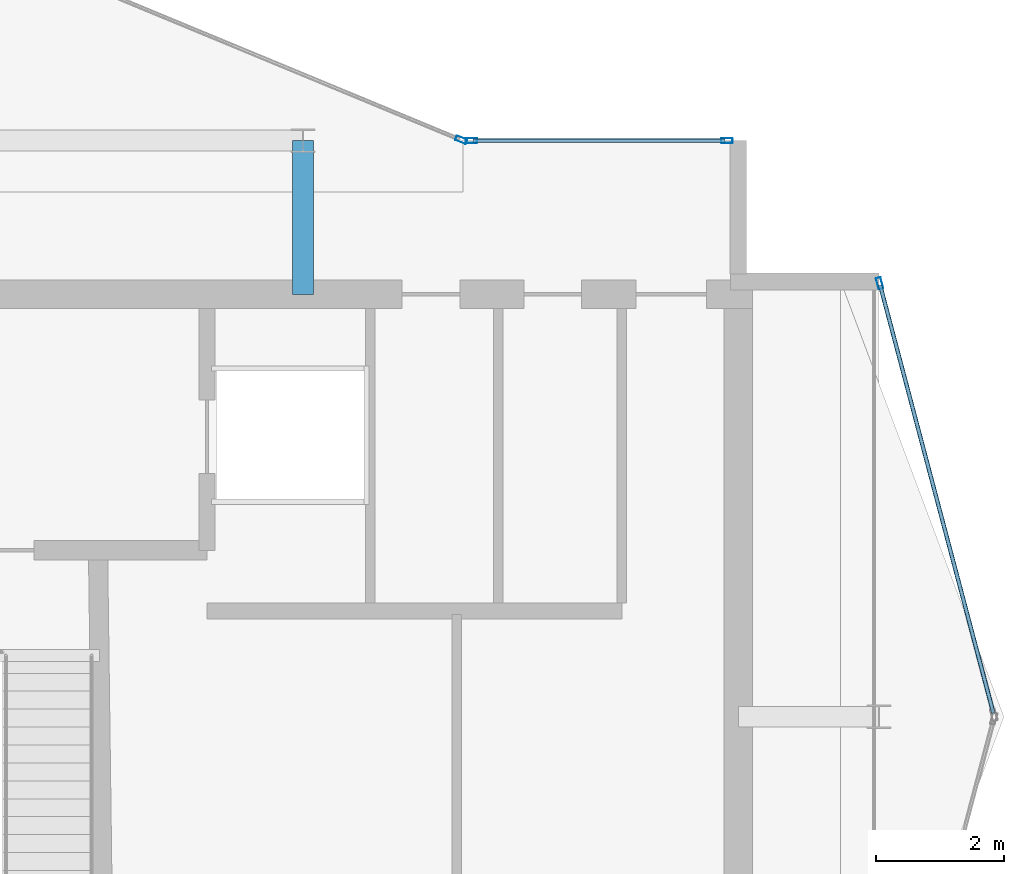
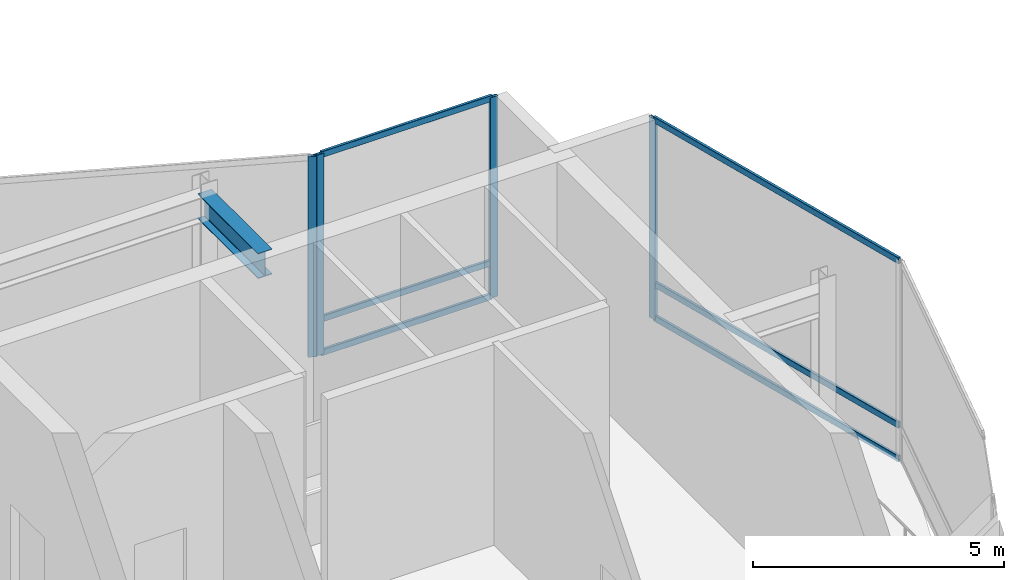
# One storey, part 12 of 21: 10 members, 1 beam, 3 elements without a shape of their own.
"""IFC4 building model written with IfcOpenShell, lengths in metres."""

from ifc_helpers import new_model, si_unit, direction, frame, origin, origin_2d, place, context, subcontext, project, spatial, hollow_rectangle, i_section, extrude, material, layer, layer_set, material_profile, profile_set, type_object, element, aggregate, save


model = new_model("IFC4")

# Units and contexts
model_context = context("Model", 3, precision=1e-05, world=origin(), true_north=direction((0.0, 1.0)))
body_context = subcontext(model_context, "Body", "Model", "MODEL_VIEW")
ifc_project = project(units=[si_unit("LENGTHUNIT", "METRE"), si_unit("AREAUNIT", "SQUARE_METRE"), si_unit("VOLUMEUNIT", "CUBIC_METRE"), si_unit("PLANEANGLEUNIT", "RADIAN"), si_unit("MASSUNIT", "GRAM", prefix="KILO")], contexts=[model_context])

# Site, building, storey
site_placement = place(None, origin())
site = spatial("IfcSite", under=ifc_project, at=site_placement, CompositionType="ELEMENT")
building_placement = place(site_placement, origin())
building = spatial("IfcBuilding", under=site, at=building_placement, Name="Solvaryn Broadcast Tower", CompositionType="ELEMENT")
storey_placement = place(building_placement, frame((0.0, 0.0, 297.39990234375)))
storey = spatial("IfcBuildingStorey", under=building, at=storey_placement, Name="L75", CompositionType="ELEMENT", Elevation=297.39990234375)

# Beam
ifc_material_1 = material(Name="Steel ASTM A992 Grade 50", Category="steel")
ifc_material_profile_1 = material_profile(ifc_material_1, i_section(OverallWidth=0.323974609375, OverallDepth=0.611083984375, WebThickness=0.0126953125, FlangeThickness=0.01904296875, FilletRadius=0.014892578125, at=origin_2d()))
ifc_profile_set_1 = profile_set([ifc_material_profile_1], Name="Steel ASTM A992 Grade 50")
beam_type = type_object("IfcBeamType", Name="BM-B1-W24X104", PredefinedType="BEAM", material=ifc_profile_set_1)
beam_placement = place(storey_placement, frame((36.0, 24.60009765625, 4.564697265625), z_axis=(0.0, 1.0, 0.0), x_axis=(-1.0, 0.0, 0.0)))
element("IfcBeam", 1, at=beam_placement, inside=storey, type_object=beam_type, Name="L75 Core Tie Beam CTE2", PredefinedType="BEAM", context=body_context, shape_type="SweptSolid", body=[
    extrude(i_section(OverallWidth=0.323974609375, OverallDepth=0.611083984375, WebThickness=0.0126953125, FlangeThickness=0.01904296875, FilletRadius=0.014892578125, at=origin_2d()), origin(), (0.0, 0.0, 1.0), 2.39990234375),
])

# Curtain wall, member
ifc_material_2 = material(Name="Aluminium and Terracotta Unitised Curtain Wall", Category="masonry")
ifc_layer = layer(ifc_material_2, 0.260009765625)
ifc_layer_set = layer_set([ifc_layer], Name="CW-SYS5-DAMPER")
curtain_wall_type = type_object("IfcCurtainWallType", Name="CW-SYS5-DAMPER", PredefinedType="NOTDEFINED", material=ifc_layer_set)
curtain_wall_1_placement = place(storey_placement, origin())
curtain_wall_1 = element("IfcCurtainWall", 2, at=curtain_wall_1_placement, inside=storey, type_object=curtain_wall_type, Name="L75 Curtain Wall CN1", PredefinedType="NOTDEFINED")
ifc_material_3 = material(Name="Anodised Aluminium 6063-T6", Category="aluminium")
ifc_material_profile_2 = material_profile(ifc_material_3, hollow_rectangle(XDim=0.074951171875, YDim=0.179931640625, WallThickness=0.00390625, InnerFilletRadius=0.00390625, OuterFilletRadius=0.008056640625, at=origin_2d()))
ifc_profile_set_2 = profile_set([ifc_material_profile_2], Name="Anodised Aluminium 6063-T6")
member_type_1 = type_object("IfcMemberType", Name="CW-MUL-180", PredefinedType="MULLION", material=ifc_profile_set_2)
member_1_placement = place(storey_placement, frame((38.47216796875, 27.011474609375, 0.0), z_axis=(0.0, 0.0, 1.0), x_axis=(-0.382646127145, -0.923894983957, 0.0)))
member_1 = element("IfcMember", 3, at=member_1_placement, type_object=member_type_1, Name="CWS5 mullion 1", PredefinedType="MULLION", context=body_context, shape_type="SweptSolid", body=[
    extrude(hollow_rectangle(XDim=0.074951171875, YDim=0.179931640625, WallThickness=0.00390625, InnerFilletRadius=0.00390625, OuterFilletRadius=0.008056640625, at=origin_2d()), origin(), (0.0, 0.0, 1.0), 4.8701171875),
])
aggregate(curtain_wall_1, [member_1])

curtain_wall_2_placement = place(storey_placement, origin())
curtain_wall_2 = element("IfcCurtainWall", 4, at=curtain_wall_2_placement, inside=storey, type_object=curtain_wall_type, Name="L75 Curtain Wall ET1", PredefinedType="NOTDEFINED")
member_2_placement = place(storey_placement, frame((45.007568359375, 24.77099609375, 0.0), z_axis=(0.0, 0.0, 1.0), x_axis=(0.966705227863, 0.25589256031, 0.0)))
member_2 = element("IfcMember", 5, at=member_2_placement, type_object=member_type_1, Name="CWS5 mullion 1", PredefinedType="MULLION", context=body_context, shape_type="SweptSolid", body=[
    extrude(hollow_rectangle(XDim=0.074951171875, YDim=0.179931640625, WallThickness=0.00390625, InnerFilletRadius=0.00390625, OuterFilletRadius=0.008056640625, at=origin_2d()), origin(), (0.0, 0.0, 1.0), 4.8701171875),
])

# Curtain wall, members
curtain_wall_3_placement = place(storey_placement, origin())
curtain_wall_3 = element("IfcCurtainWall", 6, at=curtain_wall_3_placement, inside=storey, type_object=curtain_wall_type, Name="L75 Curtain Wall IH", PredefinedType="NOTDEFINED")
member_3_placement = place(storey_placement, frame((38.6298828125, 27.0, 0.0), z_axis=(0.0, 0.0, 1.0), x_axis=(0.0, 1.0, 0.0)))
member_3 = element("IfcMember", 7, at=member_3_placement, type_object=member_type_1, Name="CWS5 mullion 1", PredefinedType="MULLION", context=body_context, shape_type="SweptSolid", body=[
    extrude(hollow_rectangle(XDim=0.074951171875, YDim=0.179931640625, WallThickness=0.00390625, InnerFilletRadius=0.00390625, OuterFilletRadius=0.008056640625, at=origin_2d()), origin(), (0.0, 0.0, 1.0), 4.8701171875),
])
member_4_placement = place(storey_placement, frame((42.6201171875, 27.0, 0.0), z_axis=(0.0, 0.0, 1.0), x_axis=(0.0, 1.0, 0.0)))
member_4 = element("IfcMember", 8, at=member_4_placement, type_object=member_type_1, Name="CWS5 mullion 2", PredefinedType="MULLION", context=body_context, shape_type="SweptSolid", body=[
    extrude(hollow_rectangle(XDim=0.074951171875, YDim=0.179931640625, WallThickness=0.00390625, InnerFilletRadius=0.00390625, OuterFilletRadius=0.008056640625, at=origin_2d()), origin(), (0.0, 0.0, 1.0), 4.8701171875),
])

# Member
ifc_material_4 = material(Name="Anodised Aluminium 6063-T6", Category="aluminium")
ifc_material_profile_3 = material_profile(ifc_material_4, hollow_rectangle(XDim=0.06494140625, YDim=0.14990234375, WallThickness=0.00390625, InnerFilletRadius=0.00390625, OuterFilletRadius=0.008056640625, at=origin_2d()))
ifc_profile_set_3 = profile_set([ifc_material_profile_3], Name="Anodised Aluminium 6063-T6")
member_type_2 = type_object("IfcMemberType", Name="CW-TRN-150", PredefinedType="USERDEFINED", material=ifc_profile_set_3)
member_5_placement = place(storey_placement, frame((45.015380859375, 24.741943359375, 0.030029296875), z_axis=(0.255897413051, -0.966703943301, 0.0), x_axis=(0.966703943301, 0.255897413051, 0.0)))
member_5 = element("IfcMember", 9, at=member_5_placement, type_object=member_type_2, Name="CWS5 transom 1.1", ObjectType="TRANSOM", PredefinedType="USERDEFINED", context=body_context, shape_type="SweptSolid", body=[
    extrude(hollow_rectangle(XDim=0.06494140625, YDim=0.14990234375, WallThickness=0.00390625, InnerFilletRadius=0.00390625, OuterFilletRadius=0.008056640625, at=origin_2d()), origin(), (0.0, 0.0, 1.0), 6.9140625),
])

member_6_placement = place(storey_placement, frame((45.015380859375, 24.741943359375, 0.85009765625), z_axis=(0.255897413051, -0.966703943301, 0.0), x_axis=(0.966703943301, 0.255897413051, 0.0)))
member_6 = element("IfcMember", 10, at=member_6_placement, type_object=member_type_2, Name="CWS5 transom 1.2", ObjectType="TRANSOM", PredefinedType="USERDEFINED", context=body_context, shape_type="SweptSolid", body=[
    extrude(hollow_rectangle(XDim=0.06494140625, YDim=0.14990234375, WallThickness=0.00390625, InnerFilletRadius=0.00390625, OuterFilletRadius=0.008056640625, at=origin_2d()), origin(), (0.0, 0.0, 1.0), 6.9140625),
])

member_7_placement = place(storey_placement, frame((45.015380859375, 24.741943359375, 4.840087890625), z_axis=(0.255897413051, -0.966703943301, 0.0), x_axis=(0.966703943301, 0.255897413051, 0.0)))
member_7 = element("IfcMember", 11, at=member_7_placement, type_object=member_type_2, Name="CWS5 transom 1.3", ObjectType="TRANSOM", PredefinedType="USERDEFINED", context=body_context, shape_type="SweptSolid", body=[
    extrude(hollow_rectangle(XDim=0.06494140625, YDim=0.14990234375, WallThickness=0.00390625, InnerFilletRadius=0.00390625, OuterFilletRadius=0.008056640625, at=origin_2d()), origin(), (0.0, 0.0, 1.0), 6.9140625),
])

aggregate(curtain_wall_2, [member_2, member_5, member_6, member_7])

member_8_placement = place(storey_placement, frame((38.659912109375, 27.0, 0.030029296875), z_axis=(1.0, 0.0, 0.0), x_axis=(0.0, 1.0, 0.0)))
member_8 = element("IfcMember", 12, at=member_8_placement, type_object=member_type_2, Name="CWS5 transom 1.1", ObjectType="TRANSOM", PredefinedType="USERDEFINED", context=body_context, shape_type="SweptSolid", body=[
    extrude(hollow_rectangle(XDim=0.06494140625, YDim=0.14990234375, WallThickness=0.00390625, InnerFilletRadius=0.00390625, OuterFilletRadius=0.008056640625, at=origin_2d()), origin(), (0.0, 0.0, 1.0), 3.93017578125),
])

member_9_placement = place(storey_placement, frame((38.659912109375, 27.0, 0.85009765625), z_axis=(1.0, 0.0, 0.0), x_axis=(0.0, 1.0, 0.0)))
member_9 = element("IfcMember", 13, at=member_9_placement, type_object=member_type_2, Name="CWS5 transom 1.2", ObjectType="TRANSOM", PredefinedType="USERDEFINED", context=body_context, shape_type="SweptSolid", body=[
    extrude(hollow_rectangle(XDim=0.06494140625, YDim=0.14990234375, WallThickness=0.00390625, InnerFilletRadius=0.00390625, OuterFilletRadius=0.008056640625, at=origin_2d()), origin(), (0.0, 0.0, 1.0), 3.93017578125),
])

member_10_placement = place(storey_placement, frame((38.659912109375, 27.0, 4.840087890625), z_axis=(1.0, 0.0, 0.0), x_axis=(0.0, 1.0, 0.0)))
member_10 = element("IfcMember", 14, at=member_10_placement, type_object=member_type_2, Name="CWS5 transom 1.3", ObjectType="TRANSOM", PredefinedType="USERDEFINED", context=body_context, shape_type="SweptSolid", body=[
    extrude(hollow_rectangle(XDim=0.06494140625, YDim=0.14990234375, WallThickness=0.00390625, InnerFilletRadius=0.00390625, OuterFilletRadius=0.008056640625, at=origin_2d()), origin(), (0.0, 0.0, 1.0), 3.93017578125),
])

aggregate(curtain_wall_3, [member_3, member_4, member_8, member_9, member_10])

save(model, "model.ifc")
